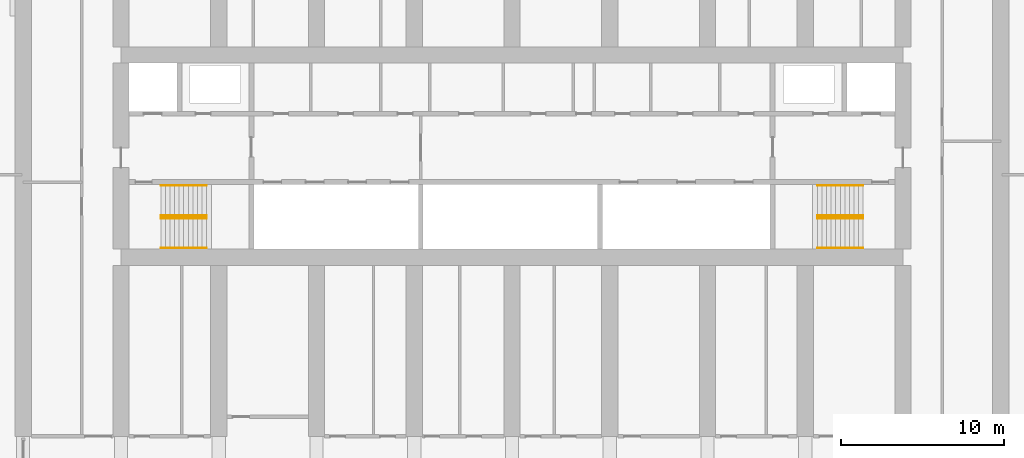
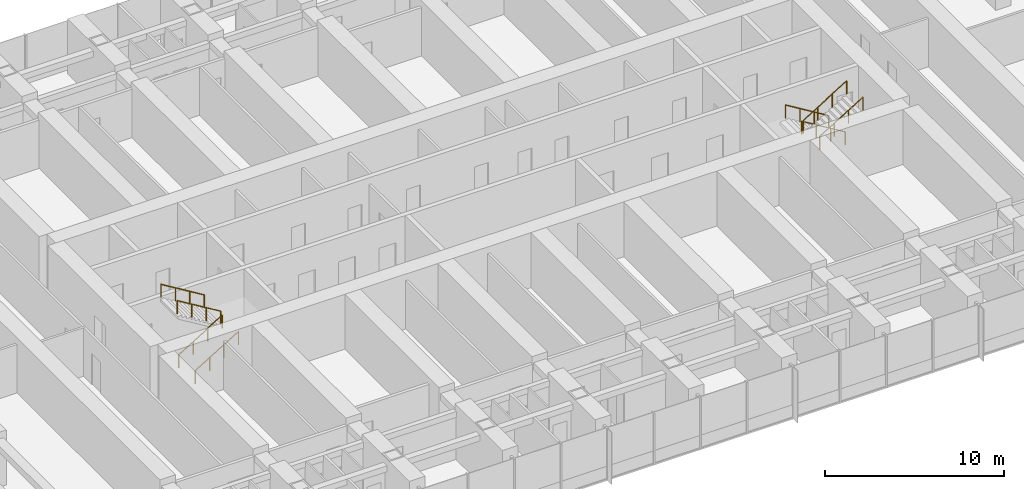
# One storey, part 24 of 24: 8 railings.
"""IFC4 building model written with IfcOpenShell, lengths in metres."""

from ifc_helpers import new_model, si_unit, direction, frame, origin, origin_2d, place, context, subcontext, project, spatial, circle, extrude, material, type_object, element, save


model = new_model("IFC4")

# Units and contexts
model_context = context("Model", 3, precision=1e-05, world=origin(), true_north=direction((0.0, 1.0)))
body_context = subcontext(model_context, "Body", "Model", "MODEL_VIEW")
ifc_project = project(units=[si_unit("LENGTHUNIT", "METRE"), si_unit("AREAUNIT", "SQUARE_METRE"), si_unit("VOLUMEUNIT", "CUBIC_METRE"), si_unit("PLANEANGLEUNIT", "RADIAN"), si_unit("MASSUNIT", "GRAM", prefix="KILO")], contexts=[model_context])

# Site, building, storey
site_placement = place(None, origin())
site = spatial("IfcSite", under=ifc_project, at=site_placement, CompositionType="ELEMENT")
building_placement = place(site_placement, origin())
building = spatial("IfcBuilding", under=site, at=building_placement, Name="Orbita Commons", CompositionType="ELEMENT")
storey_placement = place(building_placement, frame((0.0, 0.0, 20.199951171875)))
storey = spatial("IfcBuildingStorey", under=building, at=storey_placement, Name="L04", CompositionType="ELEMENT", Elevation=20.199951171875)

# Railings
ifc_material = material(Name="Steel tube, painted", Category="steel")
railing_type = type_object("IfcRailingType", Name="Stair handrail steel tube 900", PredefinedType="HANDRAIL", material=ifc_material)
for number, where, name in (
    (1, (20.449951171875, 28.18994140625, 0.17041015625), "Stair S1 handrail L04 flight 1"),
    (2, (20.449951171875, 26.360107421875, 0.17041015625), "Stair S1 handrail L04 flight 1"),
):
    element("IfcRailing", number, at=place(storey_placement, frame(where)), inside=storey, type_object=railing_type, Name=name, PredefinedType="HANDRAIL", context=body_context, shape_type="SweptSolid", body=[
        extrude(circle(Radius=0.02099609375, at=origin_2d()), frame((0.0, 0.0, 0.87890625), z_axis=(0.854169791009, 0.0, 0.51999420009), x_axis=(0.0, 1.0, 0.0)), (0.0, 0.0, 1.0), 3.278076171875),
        extrude(circle(Radius=0.02001953125, at=origin_2d()), origin(), (0.0, 0.0, 1.0), 0.85791015625),
        extrude(circle(Radius=0.02001953125, at=origin_2d()), frame((0.933349609375, 0.0, 0.568115234375)), (0.0, 0.0, 1.0), 0.85791015625),
        extrude(circle(Radius=0.02001953125, at=origin_2d()), frame((1.86669921875, 0.0, 1.136474609375)), (0.0, 0.0, 1.0), 0.85791015625),
        extrude(circle(Radius=0.02001953125, at=origin_2d()), frame((2.800048828125, 0.0, 1.70458984375)), (0.0, 0.0, 1.0), 0.85791015625),
    ])
for number, where, name in (
    (3, (23.25, 28.360107421875, 2.04541015625), "Stair S1 handrail L04 flight 2"),
    (4, (23.25, 30.18994140625, 2.04541015625), "Stair S1 handrail L04 flight 2"),
    (5, (63.550048828125, 28.360107421875, 0.17041015625), "Stair S2 handrail L04 flight 1"),
    (6, (63.550048828125, 30.18994140625, 0.17041015625), "Stair S2 handrail L04 flight 1"),
):
    element("IfcRailing", number, at=place(storey_placement, frame(where)), inside=storey, type_object=railing_type, Name=name, PredefinedType="HANDRAIL", context=body_context, shape_type="SweptSolid", body=[
        extrude(circle(Radius=0.02099609375, at=origin_2d()), frame((0.0, 0.0, 0.87890625), z_axis=(-0.854169791009, 0.0, 0.51999420009), x_axis=(0.0, -1.0, 0.0)), (0.0, 0.0, 1.0), 3.278076171875),
        extrude(circle(Radius=0.02001953125, at=origin_2d()), origin(), (0.0, 0.0, 1.0), 0.85791015625),
        extrude(circle(Radius=0.02001953125, at=origin_2d()), frame((-0.933349609375, 0.0, 0.568115234375)), (0.0, 0.0, 1.0), 0.85791015625),
        extrude(circle(Radius=0.02001953125, at=origin_2d()), frame((-1.86669921875, 0.0, 1.136474609375)), (0.0, 0.0, 1.0), 0.85791015625),
        extrude(circle(Radius=0.02001953125, at=origin_2d()), frame((-2.800048828125, 0.0, 1.70458984375)), (0.0, 0.0, 1.0), 0.85791015625),
    ])
for number, where, name in (
    (7, (60.75, 28.18994140625, 2.04541015625), "Stair S2 handrail L04 flight 2"),
    (8, (60.75, 26.360107421875, 2.04541015625), "Stair S2 handrail L04 flight 2"),
):
    element("IfcRailing", number, at=place(storey_placement, frame(where)), inside=storey, type_object=railing_type, Name=name, PredefinedType="HANDRAIL", context=body_context, shape_type="SweptSolid", body=[
        extrude(circle(Radius=0.02099609375, at=origin_2d()), frame((0.0, 0.0, 0.87890625), z_axis=(0.854169791009, 0.0, 0.51999420009), x_axis=(0.0, 1.0, 0.0)), (0.0, 0.0, 1.0), 3.278076171875),
        extrude(circle(Radius=0.02001953125, at=origin_2d()), origin(), (0.0, 0.0, 1.0), 0.85791015625),
        extrude(circle(Radius=0.02001953125, at=origin_2d()), frame((0.933349609375, 0.0, 0.568115234375)), (0.0, 0.0, 1.0), 0.85791015625),
        extrude(circle(Radius=0.02001953125, at=origin_2d()), frame((1.86669921875, 0.0, 1.136474609375)), (0.0, 0.0, 1.0), 0.85791015625),
        extrude(circle(Radius=0.02001953125, at=origin_2d()), frame((2.800048828125, 0.0, 1.70458984375)), (0.0, 0.0, 1.0), 0.85791015625),
    ])

save(model, "model.ifc")
